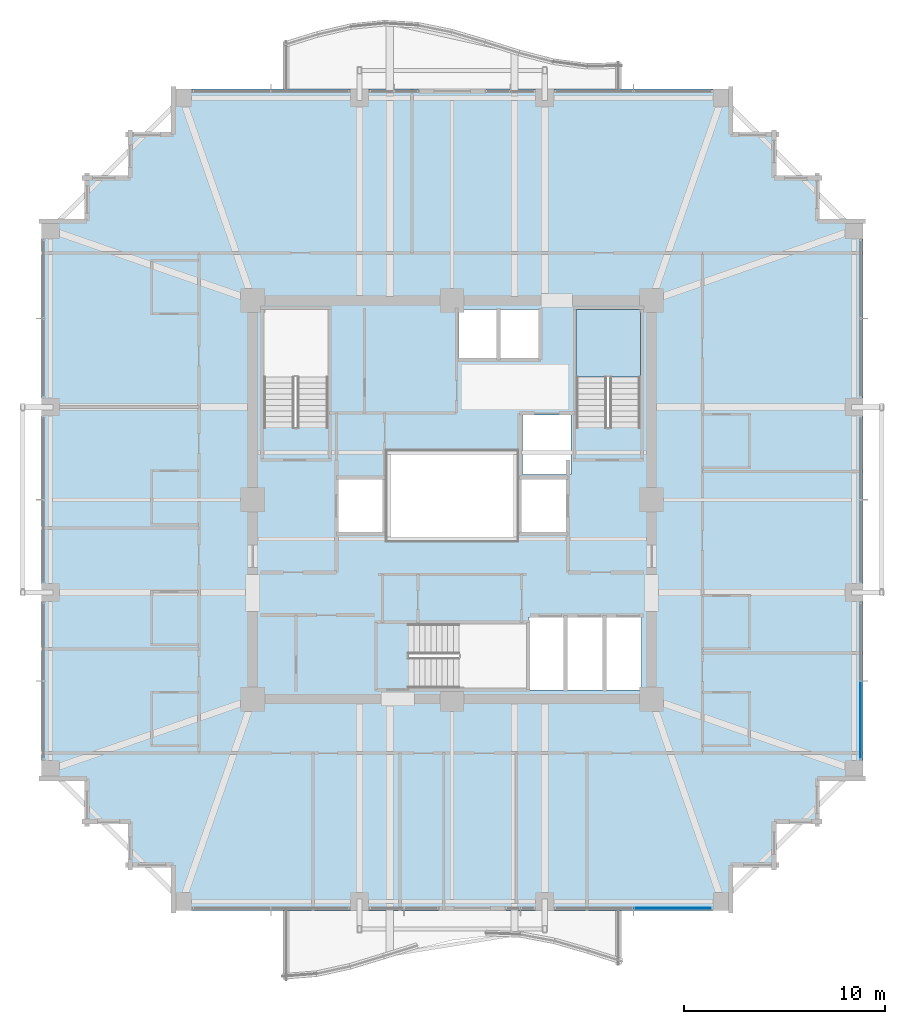
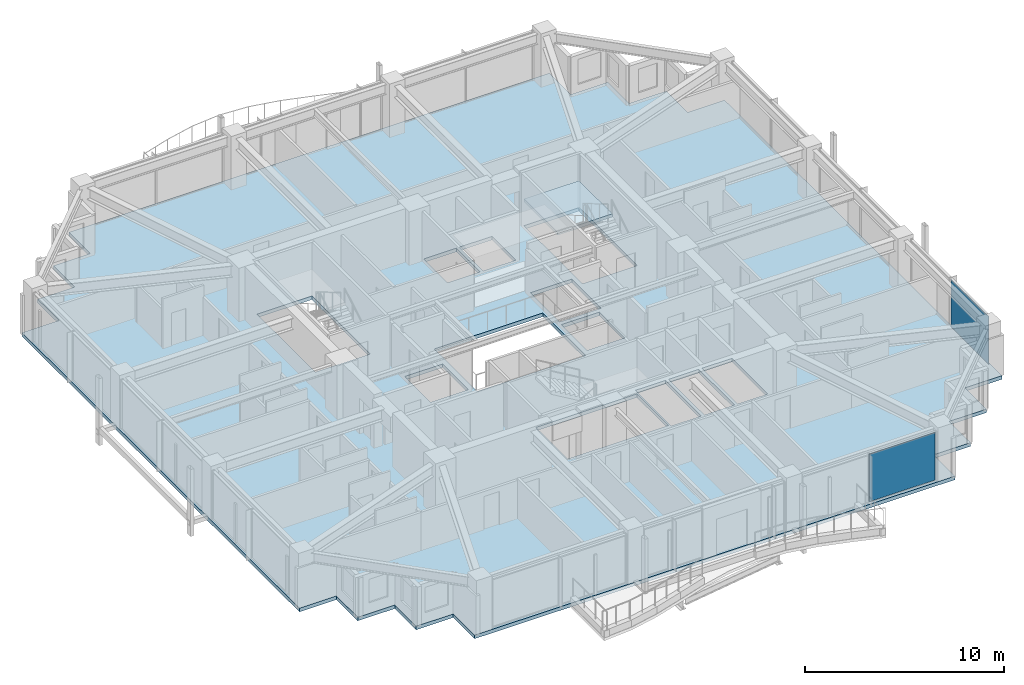
# One storey, part 27 of 37: 2 plates, 2 slabs, 3 elements without a shape of their own.
"""IFC4 building model written with IfcOpenShell, lengths in metres."""

from ifc_helpers import new_model, si_unit, direction, frame, origin, origin_2d, place, context, subcontext, project, spatial, polyline, rectangle, outline, extrude, material, layer, layer_set, type_object, element, aggregate, save


model = new_model("IFC4")

# Units and contexts
model_context = context("Model", 3, precision=1e-05, world=origin(), true_north=direction((0.0, 1.0)))
body_context = subcontext(model_context, "Body", "Model", "MODEL_VIEW")
ifc_project = project(units=[si_unit("LENGTHUNIT", "METRE"), si_unit("AREAUNIT", "SQUARE_METRE"), si_unit("VOLUMEUNIT", "CUBIC_METRE"), si_unit("PLANEANGLEUNIT", "RADIAN"), si_unit("MASSUNIT", "GRAM", prefix="KILO")], contexts=[model_context])

# Site, building, storey
site_placement = place(None, origin())
site = spatial("IfcSite", under=ifc_project, at=site_placement, CompositionType="ELEMENT")
building_placement = place(site_placement, origin())
building = spatial("IfcBuilding", under=site, at=building_placement, Name="Kolvaren Belvedere", CompositionType="ELEMENT")
storey_placement = place(building_placement, frame((0.0, 0.0, 173.39990234375)))
storey = spatial("IfcBuildingStorey", under=building, at=storey_placement, Name="L50", CompositionType="ELEMENT", Elevation=173.39990234375)

# Curtain wall, plate
ifc_material_1 = material(Name="Anodised pale-metal aluminium AA 6063-T6", Category="aluminium")
curtain_wall_type = type_object("IfcCurtainWallType", Name="CW-Z5-HIGH", PredefinedType="NOTDEFINED", material=ifc_material_1)
curtain_wall_1_placement = place(storey_placement, origin())
curtain_wall_1 = element("IfcCurtainWall", 1, at=curtain_wall_1_placement, inside=storey, type_object=curtain_wall_type, Name="L50 Unitised Curtain Wall FCW-L50-S1-B1", PredefinedType="NOTDEFINED")
ifc_material_2 = material(Name="Low-iron triple insulated glass", Category="glass")
ifc_layer_1 = layer(ifc_material_2, 0.028076171875)
ifc_layer_set_1 = layer_set([ifc_layer_1], Name="Low-iron triple insulated glass")
plate_type = type_object("IfcPlateType", Name="CW-PNL-VIS28", PredefinedType="CURTAIN_PANEL", material=ifc_layer_set_1)
plate_1_placement = place(storey_placement, frame((10.947509765625, -20.280029296875, 0.080078125), z_axis=(0.0, 0.0, 1.0), x_axis=(-1.0, 0.0, 0.0)))
plate_1 = element("IfcPlate", 2, at=plate_1_placement, type_object=plate_type, Name="FCW-L50-S1-B1 Vision Glazing Panel 1", PredefinedType="CURTAIN_PANEL", context=body_context, shape_type="SweptSolid", body=[
    extrude(rectangle(XDim=3.81494140625, YDim=0.028076171875, at=origin_2d()), origin(), (0.0, 0.0, 1.0), 2.919921875),
])
aggregate(curtain_wall_1, [plate_1])

curtain_wall_2_placement = place(storey_placement, origin())
curtain_wall_2 = element("IfcCurtainWall", 3, at=curtain_wall_2_placement, inside=storey, type_object=curtain_wall_type, Name="L50 Unitised Curtain Wall FCW-L50-E-B3", PredefinedType="NOTDEFINED")
plate_2_placement = place(storey_placement, frame((20.280029296875, -10.947509765625, 0.080078125), z_axis=(0.0, 0.0, 1.0), x_axis=(0.0, -1.0, 0.0)))
plate_2 = element("IfcPlate", 4, at=plate_2_placement, type_object=plate_type, Name="FCW-L50-E-B3 Vision Glazing Panel 2", PredefinedType="CURTAIN_PANEL", context=body_context, shape_type="SweptSolid", body=[
    extrude(rectangle(XDim=3.81494140625, YDim=0.028076171875, at=origin_2d()), origin(), (0.0, 0.0, 1.0), 2.919921875),
])
aggregate(curtain_wall_2, [plate_2])

# Slab
ifc_material_3 = material(Name="Concrete C50/60", Category="concrete")
ifc_layer_2 = layer(ifc_material_3, 0.219970703125)
ifc_layer_set_2 = layer_set([ifc_layer_2], Name="Concrete C50/60")
slab_type_1 = type_object("IfcSlabType", Name="SL-FLR-220", PredefinedType="FLOOR", material=ifc_layer_set_2)
slab_1_placement = place(storey_placement, frame((0.0, 0.0, -0.219970703125)))
element("IfcSlab", 5, at=slab_1_placement, inside=storey, type_object=slab_type_1, Name="L50 Primary Structural Slab", PredefinedType="FLOOR", context=body_context, shape_type="SweptSolid", body=[
    extrude(outline(polyline([(-13.949951171875, -20.39990234375), (13.949951171875, -20.39990234375), (13.949951171875, -18.25), (16.10009765625, -18.25), (16.10009765625, -16.10009765625), (18.25, -16.10009765625), (18.25, -13.949951171875), (20.39990234375, -13.949951171875), (20.39990234375, 13.949951171875), (18.25, 13.949951171875), (18.25, 16.10009765625), (16.10009765625, 16.10009765625), (16.10009765625, 18.25), (13.949951171875, 18.25), (13.949951171875, 20.39990234375), (-13.949951171875, 20.39990234375), (-13.949951171875, 18.25), (-16.10009765625, 18.25), (-16.10009765625, 16.10009765625), (-18.25, 16.10009765625), (-18.25, 13.949951171875), (-20.39990234375, 13.949951171875), (-20.39990234375, -13.949951171875), (-18.25, -13.949951171875), (-18.25, -16.10009765625), (-16.10009765625, -16.10009765625), (-16.10009765625, -18.25), (-13.949951171875, -18.25), (-13.949951171875, -20.39990234375)]), holes=[polyline([(-9.35009765625, 3.580078125), (-6.159912109375, 3.580078125), (-6.159912109375, 9.449951171875), (-9.35009765625, 9.449951171875), (-9.35009765625, 3.580078125)]), polyline([(6.159912109375, 3.580078125), (9.35009765625, 3.580078125), (9.35009765625, 9.449951171875), (6.159912109375, 9.449951171875), (6.159912109375, 3.580078125)]), polyline([(-2.169921875, -9.35009765625), (3.699951171875, -9.35009765625), (3.699951171875, -6.159912109375), (-2.169921875, -6.159912109375), (-2.169921875, -9.35009765625)]), polyline([(-5.64990234375, -1.60009765625), (-3.449951171875, -1.60009765625), (-3.449951171875, 1.0), (-5.64990234375, 1.0), (-5.64990234375, -1.60009765625)]), polyline([(3.5, 1.25), (5.89990234375, 1.25), (5.89990234375, 4.199951171875), (3.5, 4.199951171875), (3.5, 1.25)]), polyline([(3.449951171875, -1.60009765625), (5.64990234375, -1.60009765625), (5.64990234375, 1.0), (3.449951171875, 1.0), (3.449951171875, -1.60009765625)]), polyline([(3.7900390625, -9.449951171875), (5.5400390625, -9.449951171875), (5.5400390625, -5.85009765625), (3.7900390625, -5.85009765625), (3.7900390625, -9.449951171875)]), polyline([(5.719970703125, -9.449951171875), (7.469970703125, -9.449951171875), (7.469970703125, -5.85009765625), (5.719970703125, -5.85009765625), (5.719970703125, -9.449951171875)]), polyline([(7.64990234375, -9.449951171875), (9.39990234375, -9.449951171875), (9.39990234375, -5.85009765625), (7.64990234375, -5.85009765625), (7.64990234375, -9.449951171875)]), polyline([(0.320068359375, 7.050048828125), (2.219970703125, 7.050048828125), (2.219970703125, 9.449951171875), (0.320068359375, 9.449951171875), (0.320068359375, 7.050048828125)]), polyline([(2.39990234375, 7.050048828125), (4.300048828125, 7.050048828125), (4.300048828125, 9.449951171875), (2.39990234375, 9.449951171875), (2.39990234375, 7.050048828125)]), polyline([(-3.14990234375, -1.949951171875), (3.14990234375, -1.949951171875), (3.14990234375, 2.35009765625), (-3.14990234375, 2.35009765625), (-3.14990234375, -1.949951171875)])]), origin(), (0.0, 0.0, 1.0), 0.219970703125),
])

# Stair, slab
ifc_material_4 = material(Name="Concrete C50/60", Category="concrete")
stair_type = type_object("IfcStairType", Name="ST-CORE-1520", PredefinedType="HALF_TURN_STAIR", material=ifc_material_4)
stair_placement = place(storey_placement, origin())
stair = element("IfcStair", 6, at=stair_placement, inside=storey, type_object=stair_type, Name="L50 Protected Exit Stair ST-2", PredefinedType="HALF_TURN_STAIR")
ifc_material_5 = material(Name="Concrete C50/60", Category="concrete")
ifc_layer_3 = layer(ifc_material_5, 0.260009765625)
ifc_layer_set_3 = layer_set([ifc_layer_3], Name="Concrete C50/60")
slab_type_2 = type_object("IfcSlabType", Name="SL-LAND-260", PredefinedType="LANDING", material=ifc_layer_set_3)
slab_2_placement = place(storey_placement, frame((0.0, 0.0, 1.4501953125)))
slab_2 = element("IfcSlab", 7, at=slab_2_placement, type_object=slab_type_2, Name="ST-2 landing 1", PredefinedType="LANDING", context=body_context, shape_type="SweptSolid", body=[
    extrude(outline(polyline([(9.35009765625, 6.090087890625), (9.35009765625, 9.449951171875), (6.159912109375, 9.449951171875), (6.159912109375, 6.090087890625), (9.35009765625, 6.090087890625)])), origin(), (0.0, 0.0, 1.0), 0.199951171875),
])
aggregate(stair, [slab_2])

save(model, "model.ifc")
